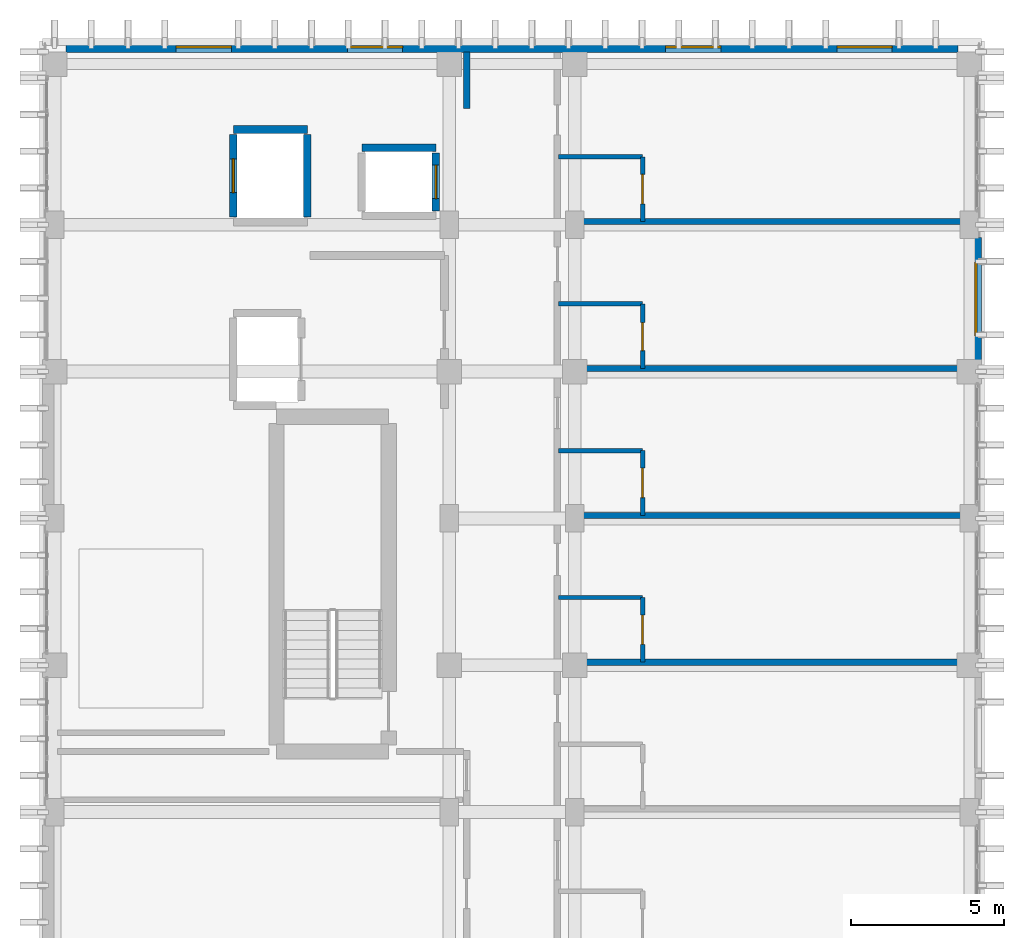
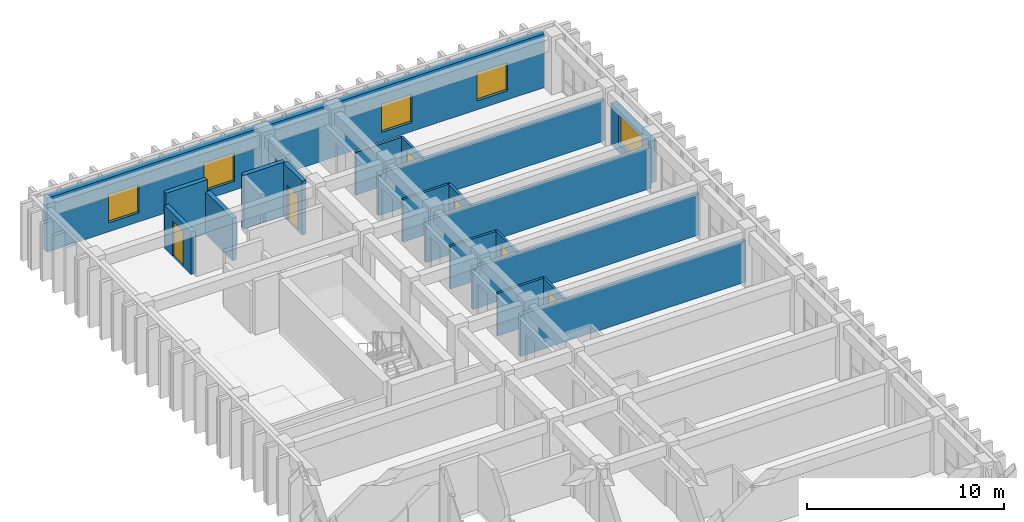
# One storey, part 68 of 82: 20 walls, 6 doors, 5 windows, 11 openings.
"""IFC4 building model written with IfcOpenShell, lengths in metres."""

from ifc_helpers import new_model, si_unit, direction, frame, frame_2d, origin, place, context, subcontext, project, spatial, rectangle, extrude, material, layer, layer_set, type_object, element, fill, save


model = new_model("IFC4")

# Units and contexts
model_context = context("Model", 3, precision=1e-05, world=origin(), true_north=direction((0.0, 1.0)))
body_context = subcontext(model_context, "Body", "Model", "MODEL_VIEW")
ifc_project = project(units=[si_unit("LENGTHUNIT", "METRE"), si_unit("AREAUNIT", "SQUARE_METRE"), si_unit("VOLUMEUNIT", "CUBIC_METRE"), si_unit("PLANEANGLEUNIT", "RADIAN"), si_unit("MASSUNIT", "GRAM", prefix="KILO")], contexts=[model_context])

# Site, building, storey
site_placement = place(None, origin())
site = spatial("IfcSite", under=ifc_project, at=site_placement, CompositionType="ELEMENT")
building_placement = place(site_placement, origin())
building = spatial("IfcBuilding", under=site, at=building_placement, Name="Nakhvara Creek Congress Hotel", CompositionType="ELEMENT")
storey_placement = place(building_placement, frame((0.0, 0.0, 21.0)))
storey = spatial("IfcBuildingStorey", under=building, at=storey_placement, Name="L04", CompositionType="ELEMENT", Elevation=21.0)

# Wall
ifc_material_1 = material(Name="Gypsum acoustic board on steel stud", Category="steel")
ifc_layer_1 = layer(ifc_material_1, 0.219970703125)
ifc_layer_set_1 = layer_set([ifc_layer_1], Name="Gypsum acoustic board on steel stud")
wall_type_1 = type_object("IfcWallType", Name="W-CORR-220", PredefinedType="PARTITIONING", material=ifc_layer_set_1)
wall_1_placement = place(storey_placement, frame((162.919921875, 123.800048828125, 0.0), z_axis=(0.0, 0.0, 1.0), x_axis=(0.0, 1.0, 0.0)))
element("IfcWall", 1, at=wall_1_placement, inside=storey, type_object=wall_type_1, Name="Interior Wall WP11-IW-L04-0287", PredefinedType="PARTITIONING", context=body_context, shape_type="SweptSolid", body=[
    extrude(rectangle(XDim=1.849853515625, YDim=0.219970703125, at=frame_2d((0.9248046875, 0.0))), origin(), (0.0, 0.0, 1.0), 2.58203125),
])

# Wall, opening, door
ifc_material_2 = material(Name="Moisture-resistant gypsum board partition")
ifc_layer_2 = layer(ifc_material_2, 0.139892578125)
ifc_layer_set_2 = layer_set([ifc_layer_2], Name="Moisture-resistant gypsum board partition")
wall_type_2 = type_object("IfcWallType", Name="W-ENS-140", PredefinedType="PARTITIONING", material=ifc_layer_set_2)
wall_2_placement = place(storey_placement, frame((168.669921875, 105.699951171875, 0.0), z_axis=(0.0, 0.0, 1.0), x_axis=(0.0, 1.0, 0.0)))
wall_2 = element("IfcWall", 2, at=wall_2_placement, inside=storey, type_object=wall_type_2, Name="Interior Wall WP15-IW-L04-0356", PredefinedType="PARTITIONING", context=body_context, shape_type="SweptSolid", body=[
    extrude(rectangle(XDim=2.115966796875, YDim=0.139892578125, at=frame_2d((1.05810546875, 0.0))), origin(), (0.0, 0.0, 1.0), 2.652099609375),
])
opening_1_placement = place(wall_2_placement, frame((0.5830078125, 0.0, 0.0)))
opening_1 = element("IfcOpeningElement", 3, at=opening_1_placement, cuts=wall_2, Name="Opening ID02", PredefinedType="OPENING", context=body_context, shape_type="SweptSolid", body=[
    extrude(rectangle(XDim=0.9599609375, YDim=2.1201171875, at=frame_2d((0.47998046875, 1.06005859375))), frame((0.0, 0.08203125, 0.0), z_axis=(0.0, -1.0, 0.0), x_axis=(1.0, 0.0, 0.0)), (0.0, 0.0, 1.0), 0.163818359375),
])
ifc_material_3 = material(Name="Moisture-resistant walnut timber door", Category="wood")
door_type_1 = type_object("IfcDoorType", Name="DT-ENS-096", OperationType="NOTDEFINED", PredefinedType="DOOR", material=ifc_material_3)
door_1_placement = place(opening_1_placement, frame((0.9599609375, 0.0, 0.0), z_axis=(0.0, 0.0, 1.0), x_axis=(-1.0, 0.0, 0.0)))
door_1 = element("IfcDoor", 4, at=door_1_placement, inside=storey, type_object=door_type_1, Name="Interior Door ID02-0295", OperationType="SINGLE_SWING_RIGHT", OverallHeight=2.1201171875, OverallWidth=0.9599609375, PredefinedType="DOOR", context=body_context, shape_type="SweptSolid", body=[
    extrude(rectangle(XDim=0.9599609375, YDim=2.1201171875, at=frame_2d((0.47998046875, 1.06005859375))), frame((0.0, 0.02490234375, 0.0), z_axis=(0.0, -1.0, 0.0), x_axis=(1.0, 0.0, 0.0)), (0.0, 0.0, 1.0), 0.050048828125),
])
fill(opening_1, door_1)

# Wall
wall_3_placement = place(storey_placement, frame((165.919921875, 107.81591796875, 0.0), z_axis=(0.0, 0.0, 1.0), x_axis=(1.0, 0.0, 0.0)))
element("IfcWall", 5, at=wall_3_placement, inside=storey, type_object=wall_type_2, Name="Interior Wall WP15-IW-L04-0357", PredefinedType="PARTITIONING", context=body_context, shape_type="SweptSolid", body=[
    extrude(rectangle(XDim=2.75, YDim=0.139892578125, at=frame_2d((1.375, 0.0))), origin(), (0.0, 0.0, 1.0), 2.652099609375),
])

# Wall, opening, door
wall_4_placement = place(storey_placement, frame((168.669921875, 110.5, 0.0), z_axis=(0.0, 0.0, 1.0), x_axis=(0.0, 1.0, 0.0)))
wall_4 = element("IfcWall", 6, at=wall_4_placement, inside=storey, type_object=wall_type_2, Name="Interior Wall WP15-IW-L04-0359", PredefinedType="PARTITIONING", context=body_context, shape_type="SweptSolid", body=[
    extrude(rectangle(XDim=2.115966796875, YDim=0.139892578125, at=frame_2d((1.05810546875, 0.0))), origin(), (0.0, 0.0, 1.0), 2.652099609375),
])
opening_2_placement = place(wall_4_placement, frame((0.5830078125, 0.0, 0.0)))
opening_2 = element("IfcOpeningElement", 7, at=opening_2_placement, cuts=wall_4, Name="Opening ID02", PredefinedType="OPENING", context=body_context, shape_type="SweptSolid", body=[
    extrude(rectangle(XDim=0.9599609375, YDim=2.1201171875, at=frame_2d((0.47998046875, 1.06005859375))), frame((0.0, 0.08203125, 0.0), z_axis=(0.0, -1.0, 0.0), x_axis=(1.0, 0.0, 0.0)), (0.0, 0.0, 1.0), 0.163818359375),
])
door_2_placement = place(opening_2_placement, frame((0.9599609375, 0.0, 0.0), z_axis=(0.0, 0.0, 1.0), x_axis=(-1.0, 0.0, 0.0)))
door_2 = element("IfcDoor", 8, at=door_2_placement, inside=storey, type_object=door_type_1, Name="Interior Door ID02-0297", OperationType="SINGLE_SWING_RIGHT", OverallHeight=2.1201171875, OverallWidth=0.9599609375, PredefinedType="DOOR", context=body_context, shape_type="SweptSolid", body=[
    extrude(rectangle(XDim=0.9599609375, YDim=2.1201171875, at=frame_2d((0.47998046875, 1.06005859375))), frame((0.0, 0.02490234375, 0.0), z_axis=(0.0, -1.0, 0.0), x_axis=(1.0, 0.0, 0.0)), (0.0, 0.0, 1.0), 0.050048828125),
])
fill(opening_2, door_2)

# Wall
wall_5_placement = place(storey_placement, frame((165.919921875, 112.615966796875, 0.0), z_axis=(0.0, 0.0, 1.0), x_axis=(1.0, 0.0, 0.0)))
element("IfcWall", 9, at=wall_5_placement, inside=storey, type_object=wall_type_2, Name="Interior Wall WP15-IW-L04-0360", PredefinedType="PARTITIONING", context=body_context, shape_type="SweptSolid", body=[
    extrude(rectangle(XDim=2.75, YDim=0.139892578125, at=frame_2d((1.375, 0.0))), origin(), (0.0, 0.0, 1.0), 2.652099609375),
])

# Wall, opening, door
wall_6_placement = place(storey_placement, frame((168.669921875, 115.300048828125, 0.0), z_axis=(0.0, 0.0, 1.0), x_axis=(0.0, 1.0, 0.0)))
wall_6 = element("IfcWall", 10, at=wall_6_placement, inside=storey, type_object=wall_type_2, Name="Interior Wall WP15-IW-L04-0362", PredefinedType="PARTITIONING", context=body_context, shape_type="SweptSolid", body=[
    extrude(rectangle(XDim=2.115966796875, YDim=0.139892578125, at=frame_2d((1.05810546875, 0.0))), origin(), (0.0, 0.0, 1.0), 2.652099609375),
])
opening_3_placement = place(wall_6_placement, frame((0.5830078125, 0.0, 0.0)))
opening_3 = element("IfcOpeningElement", 11, at=opening_3_placement, cuts=wall_6, Name="Opening ID01", PredefinedType="OPENING", context=body_context, shape_type="SweptSolid", body=[
    extrude(rectangle(XDim=0.919921875, YDim=2.10009765625, at=frame_2d((0.4599609375, 1.050048828125))), frame((0.0, 0.08203125, 0.0), z_axis=(0.0, -1.0, 0.0), x_axis=(1.0, 0.0, 0.0)), (0.0, 0.0, 1.0), 0.163818359375),
])
door_type_2 = type_object("IfcDoorType", Name="DT-ENS-092", OperationType="NOTDEFINED", PredefinedType="DOOR", material=ifc_material_3)
door_3_placement = place(opening_3_placement, frame((0.919921875, 0.0, 0.0), z_axis=(0.0, 0.0, 1.0), x_axis=(-1.0, 0.0, 0.0)))
door_3 = element("IfcDoor", 12, at=door_3_placement, inside=storey, type_object=door_type_2, Name="Interior Door ID01-0299", OperationType="SINGLE_SWING_RIGHT", OverallHeight=2.10009765625, OverallWidth=0.919921875, PredefinedType="DOOR", context=body_context, shape_type="SweptSolid", body=[
    extrude(rectangle(XDim=0.919921875, YDim=2.10009765625, at=frame_2d((0.4599609375, 1.050048828125))), frame((0.0, 0.02490234375, 0.0), z_axis=(0.0, -1.0, 0.0), x_axis=(1.0, 0.0, 0.0)), (0.0, 0.0, 1.0), 0.050048828125),
])
fill(opening_3, door_3)

# Wall
wall_7_placement = place(storey_placement, frame((165.919921875, 117.416015625, 0.0), z_axis=(0.0, 0.0, 1.0), x_axis=(1.0, 0.0, 0.0)))
element("IfcWall", 13, at=wall_7_placement, inside=storey, type_object=wall_type_2, Name="Interior Wall WP15-IW-L04-0363", PredefinedType="PARTITIONING", context=body_context, shape_type="SweptSolid", body=[
    extrude(rectangle(XDim=2.75, YDim=0.139892578125, at=frame_2d((1.375, 0.0))), origin(), (0.0, 0.0, 1.0), 2.652099609375),
])

# Wall, opening, door
wall_8_placement = place(storey_placement, frame((168.669921875, 120.10009765625, 0.0), z_axis=(0.0, 0.0, 1.0), x_axis=(0.0, 1.0, 0.0)))
wall_8 = element("IfcWall", 14, at=wall_8_placement, inside=storey, type_object=wall_type_2, Name="Interior Wall WP15-IW-L04-0365", PredefinedType="PARTITIONING", context=body_context, shape_type="SweptSolid", body=[
    extrude(rectangle(XDim=2.115966796875, YDim=0.139892578125, at=frame_2d((1.05810546875, 0.0))), origin(), (0.0, 0.0, 1.0), 2.652099609375),
])
opening_4_placement = place(wall_8_placement, frame((0.5830078125, 0.0, 0.0)))
opening_4 = element("IfcOpeningElement", 15, at=opening_4_placement, cuts=wall_8, Name="Opening ID02", PredefinedType="OPENING", context=body_context, shape_type="SweptSolid", body=[
    extrude(rectangle(XDim=0.9599609375, YDim=2.1201171875, at=frame_2d((0.47998046875, 1.06005859375))), frame((0.0, 0.08203125, 0.0), z_axis=(0.0, -1.0, 0.0), x_axis=(1.0, 0.0, 0.0)), (0.0, 0.0, 1.0), 0.163818359375),
])
door_4_placement = place(opening_4_placement, frame((0.9599609375, 0.0, 0.0), z_axis=(0.0, 0.0, 1.0), x_axis=(-1.0, 0.0, 0.0)))
door_4 = element("IfcDoor", 16, at=door_4_placement, inside=storey, type_object=door_type_1, Name="Interior Door ID02-0301", OperationType="SINGLE_SWING_RIGHT", OverallHeight=2.1201171875, OverallWidth=0.9599609375, PredefinedType="DOOR", context=body_context, shape_type="SweptSolid", body=[
    extrude(rectangle(XDim=0.9599609375, YDim=2.1201171875, at=frame_2d((0.47998046875, 1.06005859375))), frame((0.0, 0.02490234375, 0.0), z_axis=(0.0, -1.0, 0.0), x_axis=(1.0, 0.0, 0.0)), (0.0, 0.0, 1.0), 0.050048828125),
])
fill(opening_4, door_4)

# Wall
wall_9_placement = place(storey_placement, frame((165.919921875, 122.216064453125, 0.0), z_axis=(0.0, 0.0, 1.0), x_axis=(1.0, 0.0, 0.0)))
element("IfcWall", 17, at=wall_9_placement, inside=storey, type_object=wall_type_2, Name="Interior Wall WP15-IW-L04-0366", PredefinedType="PARTITIONING", context=body_context, shape_type="SweptSolid", body=[
    extrude(rectangle(XDim=2.75, YDim=0.139892578125, at=frame_2d((1.375, 0.0))), origin(), (0.0, 0.0, 1.0), 2.652099609375),
])

# Wall, openings, windows
ifc_material_4 = material(Name="Honed pale Omani limestone cladding", Category="masonry")
ifc_layer_3 = layer(ifc_material_4, 0.050048828125)
ifc_material_5 = material(Name="Mineral wool thermal insulation")
ifc_layer_4 = layer(ifc_material_5, 0.110107421875)
ifc_material_6 = material(Name="Precast concrete C40/50", Category="concrete")
ifc_layer_5 = layer(ifc_material_6, 0.219970703125)
ifc_layer_set_3 = layer_set([ifc_layer_3, ifc_layer_4, ifc_layer_5], Name="Precast concrete C40/50")
wall_type_3 = type_object("IfcWallType", Name="W-EXT-380", PredefinedType="SOLIDWALL", material=ifc_layer_set_3)
wall_10_placement = place(storey_placement, frame((149.824951171875, 125.81005859375, 0.0), z_axis=(0.0, 0.0, 1.0), x_axis=(1.0, 0.0, 0.0)))
wall_10 = element("IfcWall", 18, at=wall_10_placement, inside=storey, type_object=wall_type_3, Name="Exterior Wall WE03-EW-L04-0131", PredefinedType="SOLIDWALL", context=body_context, shape_type="SweptSolid", body=[
    extrude(rectangle(XDim=29.150146484375, YDim=0.3798828125, at=frame_2d((14.5751953125, 0.0))), origin(), (0.0, 0.0, 1.0), 3.340087890625),
])
opening_5_placement = place(wall_10_placement, frame((3.60009765625, 0.0, 0.550048828125)))
opening_5 = element("IfcOpeningElement", 19, at=opening_5_placement, cuts=wall_10, Name="Opening WN0139", PredefinedType="OPENING", context=body_context, shape_type="SweptSolid", body=[
    extrude(rectangle(XDim=1.800048828125, YDim=1.760009765625, at=frame_2d((0.89990234375, 0.8798828125))), frame((0.0, 0.201904296875, 0.0), z_axis=(0.0, -1.0, 0.0), x_axis=(1.0, 0.0, 0.0)), (0.0, 0.0, 1.0), 0.40380859375),
])
opening_6_placement = place(wall_10_placement, frame((9.199951171875, 0.0, 0.550048828125)))
opening_6 = element("IfcOpeningElement", 20, at=opening_6_placement, cuts=wall_10, Name="Opening WN0140", PredefinedType="OPENING", context=body_context, shape_type="SweptSolid", body=[
    extrude(rectangle(XDim=1.800048828125, YDim=1.760009765625, at=frame_2d((0.89990234375, 0.8798828125))), frame((0.0, 0.201904296875, 0.0), z_axis=(0.0, -1.0, 0.0), x_axis=(1.0, 0.0, 0.0)), (0.0, 0.0, 1.0), 0.40380859375),
])
opening_7_placement = place(wall_10_placement, frame((19.60009765625, 0.0, 0.550048828125)))
opening_7 = element("IfcOpeningElement", 21, at=opening_7_placement, cuts=wall_10, Name="Opening WN0141", PredefinedType="OPENING", context=body_context, shape_type="SweptSolid", body=[
    extrude(rectangle(XDim=1.800048828125, YDim=1.760009765625, at=frame_2d((0.89990234375, 0.8798828125))), frame((0.0, 0.201904296875, 0.0), z_axis=(0.0, -1.0, 0.0), x_axis=(1.0, 0.0, 0.0)), (0.0, 0.0, 1.0), 0.40380859375),
])
opening_8_placement = place(wall_10_placement, frame((25.199951171875, 0.0, 0.550048828125)))
opening_8 = element("IfcOpeningElement", 22, at=opening_8_placement, cuts=wall_10, Name="Opening WN0142", PredefinedType="OPENING", context=body_context, shape_type="SweptSolid", body=[
    extrude(rectangle(XDim=1.800048828125, YDim=1.760009765625, at=frame_2d((0.89990234375, 0.8798828125))), frame((0.0, 0.201904296875, 0.0), z_axis=(0.0, -1.0, 0.0), x_axis=(1.0, 0.0, 0.0)), (0.0, 0.0, 1.0), 0.40380859375),
])
ifc_material_7 = material(Name="Thermally broken bronze-anodised aluminium and double-silver low-E insulated glass", Category="aluminium")
window_type_1 = type_object("IfcWindowType", Name="WN-LAN-180X225", PartitioningType="SINGLE_PANEL", PredefinedType="WINDOW", material=ifc_material_7)
window_1_placement = place(opening_5_placement, origin())
window_1 = element("IfcWindow", 23, at=window_1_placement, inside=storey, type_object=window_type_1, Name="Facade Window WN0139", OverallHeight=1.760009765625, OverallWidth=1.800048828125, PartitioningType="SINGLE_PANEL", PredefinedType="WINDOW", context=body_context, shape_type="SweptSolid", body=[
    extrude(rectangle(XDim=1.800048828125, YDim=1.760009765625, at=frame_2d((0.89990234375, 0.8798828125))), frame((0.0, 0.030029296875, 0.0), z_axis=(0.0, -1.0, 0.0), x_axis=(1.0, 0.0, 0.0)), (0.0, 0.0, 1.0), 0.06005859375),
])
fill(opening_5, window_1)
window_2_placement = place(opening_6_placement, origin())
window_2 = element("IfcWindow", 24, at=window_2_placement, inside=storey, type_object=window_type_1, Name="Facade Window WN0140", OverallHeight=1.760009765625, OverallWidth=1.800048828125, PartitioningType="SINGLE_PANEL", PredefinedType="WINDOW", context=body_context, shape_type="SweptSolid", body=[
    extrude(rectangle(XDim=1.800048828125, YDim=1.760009765625, at=frame_2d((0.89990234375, 0.8798828125))), frame((0.0, 0.030029296875, 0.0), z_axis=(0.0, -1.0, 0.0), x_axis=(1.0, 0.0, 0.0)), (0.0, 0.0, 1.0), 0.06005859375),
])
fill(opening_6, window_2)
window_3_placement = place(opening_7_placement, origin())
window_3 = element("IfcWindow", 25, at=window_3_placement, inside=storey, type_object=window_type_1, Name="Facade Window WN0141", OverallHeight=1.760009765625, OverallWidth=1.800048828125, PartitioningType="SINGLE_PANEL", PredefinedType="WINDOW", context=body_context, shape_type="SweptSolid", body=[
    extrude(rectangle(XDim=1.800048828125, YDim=1.760009765625, at=frame_2d((0.89990234375, 0.8798828125))), frame((0.0, 0.030029296875, 0.0), z_axis=(0.0, -1.0, 0.0), x_axis=(1.0, 0.0, 0.0)), (0.0, 0.0, 1.0), 0.06005859375),
])
fill(opening_7, window_3)
window_4_placement = place(opening_8_placement, origin())
window_4 = element("IfcWindow", 26, at=window_4_placement, inside=storey, type_object=window_type_1, Name="Facade Window WN0142", OverallHeight=1.760009765625, OverallWidth=1.800048828125, PartitioningType="SINGLE_PANEL", PredefinedType="WINDOW", context=body_context, shape_type="SweptSolid", body=[
    extrude(rectangle(XDim=1.800048828125, YDim=1.760009765625, at=frame_2d((0.89990234375, 0.8798828125))), frame((0.0, 0.030029296875, 0.0), z_axis=(0.0, -1.0, 0.0), x_axis=(1.0, 0.0, 0.0)), (0.0, 0.0, 1.0), 0.06005859375),
])
fill(opening_8, window_4)

# Wall, opening, window
wall_11_placement = place(storey_placement, frame((179.56005859375, 119.574951171875, 0.0), z_axis=(0.0, 0.0, 1.0), x_axis=(0.0, -1.0, 0.0)))
wall_11 = element("IfcWall", 27, at=wall_11_placement, inside=storey, type_object=wall_type_3, Name="Exterior Wall WE03-EW-L04-0146", PredefinedType="SOLIDWALL", context=body_context, shape_type="SweptSolid", body=[
    extrude(rectangle(XDim=4.0, YDim=0.3798828125, at=frame_2d((2.0, 0.0))), origin(), (0.0, 0.0, 1.0), 2.58203125),
])
opening_9_placement = place(wall_11_placement, frame((0.800048828125, 0.0, 0.550048828125)))
opening_9 = element("IfcOpeningElement", 28, at=opening_9_placement, cuts=wall_11, Name="Opening WN0154", PredefinedType="OPENING", context=body_context, shape_type="SweptSolid", body=[
    extrude(rectangle(XDim=2.39990234375, YDim=1.800048828125, at=frame_2d((1.199951171875, 0.89990234375))), frame((0.0, 0.201904296875, 0.0), z_axis=(0.0, -1.0, 0.0), x_axis=(1.0, 0.0, 0.0)), (0.0, 0.0, 1.0), 0.40380859375),
])
window_type_2 = type_object("IfcWindowType", Name="WN-LAN-240X240", PartitioningType="SINGLE_PANEL", PredefinedType="WINDOW", material=ifc_material_7)
window_5_placement = place(opening_9_placement, origin())
window_5 = element("IfcWindow", 29, at=window_5_placement, inside=storey, type_object=window_type_2, Name="Facade Window WN0154", OverallHeight=1.800048828125, OverallWidth=2.39990234375, PartitioningType="SINGLE_PANEL", PredefinedType="WINDOW", context=body_context, shape_type="SweptSolid", body=[
    extrude(rectangle(XDim=2.39990234375, YDim=1.800048828125, at=frame_2d((1.199951171875, 0.89990234375))), frame((0.0, 0.030029296875, 0.0), z_axis=(0.0, -1.0, 0.0), x_axis=(1.0, 0.0, 0.0)), (0.0, 0.0, 1.0), 0.06005859375),
])
fill(opening_9, window_5)

# Walls
ifc_layer_6 = layer(ifc_material_1, 0.199951171875)
ifc_layer_set_4 = layer_set([ifc_layer_6], Name="Gypsum acoustic board on steel stud")
wall_type_4 = type_object("IfcWallType", Name="W-PART-200", PredefinedType="PARTITIONING", material=ifc_layer_set_4)
for number, where, z_axis, x_axis, name in (
    (30, (166.02001953125, 105.699951171875, 0.0), (0.0, 0.0, 1.0), (1.0, 0.0, 0.0), "Interior Wall WP12-IW-L04-0355"),
    (31, (166.02001953125, 110.5, 0.0), (0.0, 0.0, 1.0), (1.0, 0.0, 0.0), "Interior Wall WP12-IW-L04-0358"),
    (32, (166.02001953125, 115.300048828125, 0.0), (0.0, 0.0, 1.0), (1.0, 0.0, 0.0), "Interior Wall WP12-IW-L04-0361"),
    (33, (166.02001953125, 120.10009765625, 0.0), (0.0, 0.0, 1.0), (1.0, 0.0, 0.0), "Interior Wall WP12-IW-L04-0364"),
):
    element("IfcWall", number, at=place(storey_placement, frame(where, z_axis=z_axis, x_axis=x_axis)), inside=storey, type_object=wall_type_4, Name=name, PredefinedType="PARTITIONING", context=body_context, shape_type="SweptSolid", body=[
        extrude(rectangle(XDim=13.22998046875, YDim=0.199951171875, at=frame_2d((6.614990234375, 0.0))), origin(), (0.0, 0.0, 1.0), 2.58203125),
    ])
ifc_material_8 = material(Name="Concrete C40/50", Category="concrete")
ifc_layer_7 = layer(ifc_material_8, 0.25)
ifc_layer_set_5 = layer_set([ifc_layer_7], Name="Concrete C40/50")
wall_type_5 = type_object("IfcWallType", Name="W-SHAFT-250", PredefinedType="SOLIDWALL", material=ifc_layer_set_5)
wall_12_placement = place(storey_placement, frame((159.489990234375, 122.510009765625, 0.0), z_axis=(0.0, 0.0, 1.0), x_axis=(1.0, 0.0, 0.0)))
element("IfcWall", 34, at=wall_12_placement, inside=storey, type_object=wall_type_5, Name="Core Shear Wall WI02-CWALL-L04-0385", PredefinedType="SOLIDWALL", context=body_context, shape_type="SweptSolid", body=[
    extrude(rectangle(XDim=2.419921875, YDim=0.25, at=frame_2d((1.2099609375, 0.0))), origin(), (0.0, 0.0, 1.0), 3.340087890625),
])

# Wall, opening, door
wall_13_placement = place(storey_placement, frame((161.909912109375, 120.449951171875, 0.0), z_axis=(0.0, 0.0, 1.0), x_axis=(0.0, 1.0, 0.0)))
wall_13 = element("IfcWall", 35, at=wall_13_placement, inside=storey, type_object=wall_type_5, Name="Core Shear Wall WI02-CWALL-L04-0387", PredefinedType="SOLIDWALL", context=body_context, shape_type="SweptSolid", body=[
    extrude(rectangle(XDim=1.900146484375, YDim=0.25, at=frame_2d((0.9501953125, 0.0))), origin(), (0.0, 0.0, 1.0), 3.340087890625),
])
opening_10_placement = place(wall_13_placement, frame((0.39990234375, 0.0, 0.0)))
opening_10 = element("IfcOpeningElement", 36, at=opening_10_placement, cuts=wall_13, Name="Opening LD01", PredefinedType="OPENING", context=body_context, shape_type="SweptSolid", body=[
    extrude(rectangle(XDim=1.10009765625, YDim=2.199951171875, at=frame_2d((0.550048828125, 1.10009765625))), frame((0.0, 0.136962890625, 0.0), z_axis=(0.0, -1.0, 0.0), x_axis=(1.0, 0.0, 0.0)), (0.0, 0.0, 1.0), 0.27392578125),
])
ifc_material_9 = material(Name="Brushed stainless steel sliding landing door", Category="steel")
door_type_3 = type_object("IfcDoorType", Name="DT-LIFT-110", OperationType="DOUBLE_DOOR_SLIDING", PredefinedType="DOOR", material=ifc_material_9)
door_5_placement = place(opening_10_placement, origin())
door_5 = element("IfcDoor", 37, at=door_5_placement, inside=storey, type_object=door_type_3, Name="Landing Door PL01-L04", OperationType="SLIDING_TO_LEFT", OverallHeight=2.199951171875, OverallWidth=1.10009765625, PredefinedType="DOOR", context=body_context, shape_type="SweptSolid", body=[
    extrude(rectangle(XDim=1.10009765625, YDim=2.199951171875, at=frame_2d((0.550048828125, 1.10009765625))), frame((0.0, 0.02490234375, 0.0), z_axis=(0.0, -1.0, 0.0), x_axis=(1.0, 0.0, 0.0)), (0.0, 0.0, 1.0), 0.050048828125),
])
fill(opening_10, door_5)

# Wall
wall_14_placement = place(storey_placement, frame((155.2900390625, 123.110107421875, 0.0), z_axis=(0.0, 0.0, 1.0), x_axis=(1.0, 0.0, 0.0)))
element("IfcWall", 38, at=wall_14_placement, inside=storey, type_object=wall_type_5, Name="Core Shear Wall WI02-CWALL-L04-0389", PredefinedType="SOLIDWALL", context=body_context, shape_type="SweptSolid", body=[
    extrude(rectangle(XDim=2.419921875, YDim=0.25, at=frame_2d((1.2099609375, 0.0))), origin(), (0.0, 0.0, 1.0), 3.340087890625),
])

# Wall, opening, door
wall_15_placement = place(storey_placement, frame((155.2900390625, 120.25, 0.0), z_axis=(0.0, 0.0, 1.0), x_axis=(0.0, 1.0, 0.0)))
wall_15 = element("IfcWall", 39, at=wall_15_placement, inside=storey, type_object=wall_type_5, Name="Core Shear Wall WI02-CWALL-L04-0390", PredefinedType="SOLIDWALL", context=body_context, shape_type="SweptSolid", body=[
    extrude(rectangle(XDim=2.699951171875, YDim=0.25, at=frame_2d((1.35009765625, 0.0))), origin(), (0.0, 0.0, 1.0), 2.652099609375),
])
opening_11_placement = place(wall_15_placement, frame((0.800048828125, 0.0, 0.0)))
opening_11 = element("IfcOpeningElement", 40, at=opening_11_placement, cuts=wall_15, Name="Opening LD01", PredefinedType="OPENING", context=body_context, shape_type="SweptSolid", body=[
    extrude(rectangle(XDim=1.10009765625, YDim=2.199951171875, at=frame_2d((0.550048828125, 1.10009765625))), frame((0.0, 0.136962890625, 0.0), z_axis=(0.0, -1.0, 0.0), x_axis=(1.0, 0.0, 0.0)), (0.0, 0.0, 1.0), 0.27392578125),
])
door_6_placement = place(opening_11_placement, origin())
door_6 = element("IfcDoor", 41, at=door_6_placement, inside=storey, type_object=door_type_3, Name="Landing Door SL02-L04", OperationType="SLIDING_TO_LEFT", OverallHeight=2.199951171875, OverallWidth=1.10009765625, PredefinedType="DOOR", context=body_context, shape_type="SweptSolid", body=[
    extrude(rectangle(XDim=1.10009765625, YDim=2.199951171875, at=frame_2d((0.550048828125, 1.10009765625))), frame((0.0, 0.02490234375, 0.0), z_axis=(0.0, -1.0, 0.0), x_axis=(1.0, 0.0, 0.0)), (0.0, 0.0, 1.0), 0.050048828125),
])
fill(opening_11, door_6)

# Wall
wall_16_placement = place(storey_placement, frame((157.7099609375, 120.25, 0.0), z_axis=(0.0, 0.0, 1.0), x_axis=(0.0, 1.0, 0.0)))
element("IfcWall", 42, at=wall_16_placement, inside=storey, type_object=wall_type_5, Name="Core Shear Wall WI02-CWALL-L04-0391", PredefinedType="SOLIDWALL", context=body_context, shape_type="SweptSolid", body=[
    extrude(rectangle(XDim=2.699951171875, YDim=0.25, at=frame_2d((1.35009765625, 0.0))), origin(), (0.0, 0.0, 1.0), 2.652099609375),
])

save(model, "model.ifc")
